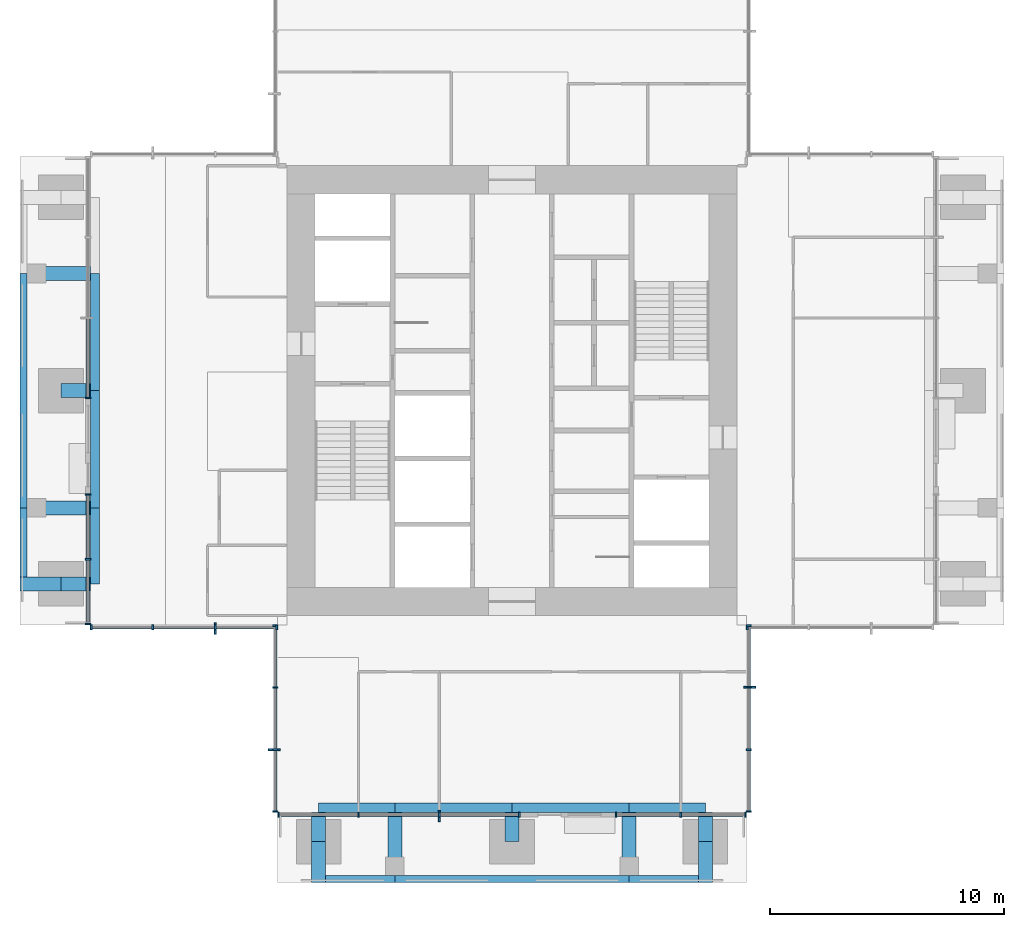
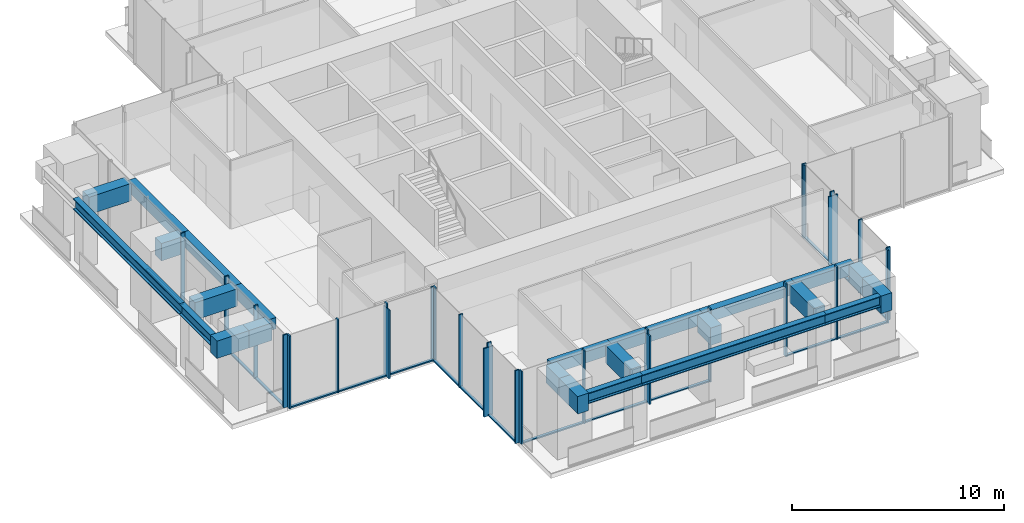
# One storey, part 2 of 12: 45 members, 24 beams, 8 elements without a shape of their own.
"""IFC4 building model written with IfcOpenShell, lengths in metres."""

from ifc_helpers import new_model, si_unit, direction, frame, origin, origin_2d, place, context, subcontext, project, spatial, rectangle, i_section, extrude, material, material_profile, profile_set, type_object, element, aggregate, save


model = new_model("IFC4")

# Units and contexts
model_context = context("Model", 3, precision=1e-05, world=origin(), true_north=direction((0.0, 1.0)))
body_context = subcontext(model_context, "Body", "Model", "MODEL_VIEW")
ifc_project = project(units=[si_unit("LENGTHUNIT", "METRE"), si_unit("AREAUNIT", "SQUARE_METRE"), si_unit("VOLUMEUNIT", "CUBIC_METRE"), si_unit("PLANEANGLEUNIT", "RADIAN"), si_unit("MASSUNIT", "GRAM", prefix="KILO")], contexts=[model_context])

# Site, building, storey
site_placement = place(None, origin())
site = spatial("IfcSite", under=ifc_project, at=site_placement, CompositionType="ELEMENT")
building_placement = place(site_placement, origin())
building = spatial("IfcBuilding", under=site, at=building_placement, Name="Svetlomir Tower", CompositionType="ELEMENT")
storey_placement = place(building_placement, frame((0.0, 0.0, 244.0)))
storey = spatial("IfcBuildingStorey", under=building, at=storey_placement, Name="L58", CompositionType="ELEMENT", Elevation=244.0)

# Curtain wall, member
ifc_material_1 = material(Name="Bronze anodised aluminium curtain wall", Category="aluminium")
curtain_wall_type = type_object("IfcCurtainWallType", Name="CURTAIN WALL CW4 EXECUTIVE", PredefinedType="NOTDEFINED", material=ifc_material_1)
curtain_wall_1_placement = place(storey_placement, origin())
curtain_wall_1 = element("IfcCurtainWall", 1, at=curtain_wall_1_placement, inside=storey, type_object=curtain_wall_type, Name="Curtain wall CW4 L58", PredefinedType="NOTDEFINED")
ifc_material_2 = material(Name="Bronze anodised aluminium", Category="aluminium")
ifc_material_profile_1 = material_profile(ifc_material_2, rectangle(XDim=0.080078125, YDim=0.5, at=origin_2d()), Name="FIN 80x500")
ifc_profile_set_1 = profile_set([ifc_material_profile_1], Name="Bronze anodised aluminium 6063-T6")
member_type_1 = type_object("IfcMemberType", Name="BRONZE FIN 80x500", PredefinedType="USERDEFINED", material=ifc_profile_set_1)
member_1_placement = place(storey_placement, frame((17.89990234375, 2.85009765625, 0.0), z_axis=(0.0, 0.0, 1.0), x_axis=(1.0, 0.0, 0.0)))
member_1 = element("IfcMember", 2, at=member_1_placement, type_object=member_type_1, Name="Bronze fin L58", ObjectType="FIN", PredefinedType="USERDEFINED", context=body_context, shape_type="SweptSolid", body=[
    extrude(rectangle(XDim=0.080078125, YDim=0.5, at=origin_2d()), origin(), (0.0, 0.0, 1.0), 3.949951171875),
])

curtain_wall_2_placement = place(storey_placement, origin())
curtain_wall_2 = element("IfcCurtainWall", 3, at=curtain_wall_2_placement, inside=storey, type_object=curtain_wall_type, Name="Curtain wall CW4 L58", PredefinedType="NOTDEFINED")
member_2_placement = place(storey_placement, frame((31.14990234375, 8.333251953125, 0.0), z_axis=(0.0, 0.0, 1.0), x_axis=(0.0, 1.0, 0.0)))
member_2 = element("IfcMember", 4, at=member_2_placement, type_object=member_type_1, Name="Bronze fin L58", ObjectType="FIN", PredefinedType="USERDEFINED", context=body_context, shape_type="SweptSolid", body=[
    extrude(rectangle(XDim=0.080078125, YDim=0.5, at=origin_2d()), origin(), (0.0, 0.0, 1.0), 3.949951171875),
])

curtain_wall_3_placement = place(storey_placement, origin())
curtain_wall_3 = element("IfcCurtainWall", 5, at=curtain_wall_3_placement, inside=storey, type_object=curtain_wall_type, Name="Curtain wall CW4 L58", PredefinedType="NOTDEFINED")
member_3_placement = place(storey_placement, frame((8.333251953125, 10.85009765625, 0.0), z_axis=(0.0, 0.0, 1.0), x_axis=(1.0, 0.0, 0.0)))
member_3 = element("IfcMember", 6, at=member_3_placement, type_object=member_type_1, Name="Bronze fin L58", ObjectType="FIN", PredefinedType="USERDEFINED", context=body_context, shape_type="SweptSolid", body=[
    extrude(rectangle(XDim=0.080078125, YDim=0.5, at=origin_2d()), origin(), (0.0, 0.0, 1.0), 3.949951171875),
])

curtain_wall_4_placement = place(storey_placement, origin())
curtain_wall_4 = element("IfcCurtainWall", 7, at=curtain_wall_4_placement, inside=storey, type_object=curtain_wall_type, Name="Curtain wall CW4 L58", PredefinedType="NOTDEFINED")
member_4_placement = place(storey_placement, frame((10.85009765625, 5.666748046875, 0.0), z_axis=(0.0, 0.0, 1.0), x_axis=(0.0, 1.0, 0.0)))
member_4 = element("IfcMember", 8, at=member_4_placement, type_object=member_type_1, Name="Bronze fin L58", ObjectType="FIN", PredefinedType="USERDEFINED", context=body_context, shape_type="SweptSolid", body=[
    extrude(rectangle(XDim=0.080078125, YDim=0.5, at=origin_2d()), origin(), (0.0, 0.0, 1.0), 3.949951171875),
])

# Member
ifc_material_3 = material(Name="Bronze anodised aluminium", Category="aluminium")
ifc_material_profile_2 = material_profile(ifc_material_3, rectangle(XDim=0.074951171875, YDim=0.219970703125, at=origin_2d()), Name="AL 75x220")
ifc_profile_set_2 = profile_set([ifc_material_profile_2], Name="Bronze anodised aluminium 6063-T6")
member_type_2 = type_object("IfcMemberType", Name="CW4 MULLION 75x220", PredefinedType="MULLION", material=ifc_profile_set_2)
member_5_placement = place(storey_placement, frame((11.03759765625, 2.89990234375, 0.0), z_axis=(0.0, 0.0, 1.0), x_axis=(1.0, 0.0, 0.0)))
member_5 = element("IfcMember", 9, at=member_5_placement, type_object=member_type_2, Name="CW4 mullion 1", PredefinedType="MULLION", context=body_context, shape_type="SweptSolid", body=[
    extrude(rectangle(XDim=0.074951171875, YDim=0.219970703125, at=origin_2d()), origin(), (0.0, 0.0, 1.0), 4.199951171875),
])

member_6_placement = place(storey_placement, frame((14.449951171875, 2.89990234375, 0.0), z_axis=(0.0, 0.0, 1.0), x_axis=(1.0, 0.0, 0.0)))
member_6 = element("IfcMember", 10, at=member_6_placement, type_object=member_type_2, Name="CW4 mullion 2", PredefinedType="MULLION", context=body_context, shape_type="SweptSolid", body=[
    extrude(rectangle(XDim=0.074951171875, YDim=0.219970703125, at=origin_2d()), origin(), (0.0, 0.0, 1.0), 4.199951171875),
])

member_7_placement = place(storey_placement, frame((17.89990234375, 2.89990234375, 0.0), z_axis=(0.0, 0.0, 1.0), x_axis=(1.0, 0.0, 0.0)))
member_7 = element("IfcMember", 11, at=member_7_placement, type_object=member_type_2, Name="CW4 mullion 3", PredefinedType="MULLION", context=body_context, shape_type="SweptSolid", body=[
    extrude(rectangle(XDim=0.074951171875, YDim=0.219970703125, at=origin_2d()), origin(), (0.0, 0.0, 1.0), 4.199951171875),
])

member_8_placement = place(storey_placement, frame((21.3125, 2.89990234375, 0.0), z_axis=(0.0, 0.0, 1.0), x_axis=(1.0, 0.0, 0.0)))
member_8 = element("IfcMember", 12, at=member_8_placement, type_object=member_type_2, Name="CW4 mullion 4", PredefinedType="MULLION", context=body_context, shape_type="SweptSolid", body=[
    extrude(rectangle(XDim=0.074951171875, YDim=0.219970703125, at=origin_2d()), origin(), (0.0, 0.0, 1.0), 4.199951171875),
])

# Curtain wall, members
curtain_wall_5_placement = place(storey_placement, origin())
curtain_wall_5 = element("IfcCurtainWall", 13, at=curtain_wall_5_placement, inside=storey, type_object=curtain_wall_type, Name="Curtain wall CW4 L58", PredefinedType="NOTDEFINED")
member_9_placement = place(storey_placement, frame((25.4375, 2.89990234375, 0.0), z_axis=(0.0, 0.0, 1.0), x_axis=(1.0, 0.0, 0.0)))
member_9 = element("IfcMember", 14, at=member_9_placement, type_object=member_type_2, Name="CW4 mullion 1", PredefinedType="MULLION", context=body_context, shape_type="SweptSolid", body=[
    extrude(rectangle(XDim=0.074951171875, YDim=0.219970703125, at=origin_2d()), origin(), (0.0, 0.0, 1.0), 4.199951171875),
])
member_10_placement = place(storey_placement, frame((28.199951171875, 2.89990234375, 0.0), z_axis=(0.0, 0.0, 1.0), x_axis=(1.0, 0.0, 0.0)))
member_10 = element("IfcMember", 15, at=member_10_placement, type_object=member_type_2, Name="CW4 mullion 2", PredefinedType="MULLION", context=body_context, shape_type="SweptSolid", body=[
    extrude(rectangle(XDim=0.074951171875, YDim=0.219970703125, at=origin_2d()), origin(), (0.0, 0.0, 1.0), 4.199951171875),
])
member_11_placement = place(storey_placement, frame((30.96240234375, 2.89990234375, 0.0), z_axis=(0.0, 0.0, 1.0), x_axis=(1.0, 0.0, 0.0)))
member_11 = element("IfcMember", 16, at=member_11_placement, type_object=member_type_2, Name="CW4 mullion 3", PredefinedType="MULLION", context=body_context, shape_type="SweptSolid", body=[
    extrude(rectangle(XDim=0.074951171875, YDim=0.219970703125, at=origin_2d()), origin(), (0.0, 0.0, 1.0), 4.199951171875),
])

# Member
member_12_placement = place(storey_placement, frame((31.10009765625, 3.03759765625, 0.0), z_axis=(0.0, 0.0, 1.0), x_axis=(0.0, 1.0, 0.0)))
member_12 = element("IfcMember", 17, at=member_12_placement, type_object=member_type_2, Name="CW4 mullion 1", PredefinedType="MULLION", context=body_context, shape_type="SweptSolid", body=[
    extrude(rectangle(XDim=0.074951171875, YDim=0.219970703125, at=origin_2d()), origin(), (0.0, 0.0, 1.0), 4.199951171875),
])

member_13_placement = place(storey_placement, frame((31.10009765625, 5.666748046875, 0.0), z_axis=(0.0, 0.0, 1.0), x_axis=(0.0, 1.0, 0.0)))
member_13 = element("IfcMember", 18, at=member_13_placement, type_object=member_type_2, Name="CW4 mullion 2", PredefinedType="MULLION", context=body_context, shape_type="SweptSolid", body=[
    extrude(rectangle(XDim=0.074951171875, YDim=0.219970703125, at=origin_2d()), origin(), (0.0, 0.0, 1.0), 4.199951171875),
])

member_14_placement = place(storey_placement, frame((31.10009765625, 8.333251953125, 0.0), z_axis=(0.0, 0.0, 1.0), x_axis=(0.0, 1.0, 0.0)))
member_14 = element("IfcMember", 19, at=member_14_placement, type_object=member_type_2, Name="CW4 mullion 3", PredefinedType="MULLION", context=body_context, shape_type="SweptSolid", body=[
    extrude(rectangle(XDim=0.074951171875, YDim=0.219970703125, at=origin_2d()), origin(), (0.0, 0.0, 1.0), 4.199951171875),
])

member_15_placement = place(storey_placement, frame((31.10009765625, 10.96240234375, 0.0), z_axis=(0.0, 0.0, 1.0), x_axis=(0.0, 1.0, 0.0)))
member_15 = element("IfcMember", 20, at=member_15_placement, type_object=member_type_2, Name="CW4 mullion 4", PredefinedType="MULLION", context=body_context, shape_type="SweptSolid", body=[
    extrude(rectangle(XDim=0.074951171875, YDim=0.219970703125, at=origin_2d()), origin(), (0.0, 0.0, 1.0), 4.199951171875),
])

# Curtain wall, member
curtain_wall_6_placement = place(storey_placement, origin())
curtain_wall_6 = element("IfcCurtainWall", 21, at=curtain_wall_6_placement, inside=storey, type_object=curtain_wall_type, Name="Curtain wall CW4 L58", PredefinedType="NOTDEFINED")
member_16_placement = place(storey_placement, frame((31.03759765625, 10.89990234375, 0.0), z_axis=(0.0, 0.0, 1.0), x_axis=(1.0, 0.0, 0.0)))
member_16 = element("IfcMember", 22, at=member_16_placement, type_object=member_type_2, Name="CW4 mullion 1", PredefinedType="MULLION", context=body_context, shape_type="SweptSolid", body=[
    extrude(rectangle(XDim=0.074951171875, YDim=0.219970703125, at=origin_2d()), origin(), (0.0, 0.0, 1.0), 4.199951171875),
])
aggregate(curtain_wall_6, [member_16])

curtain_wall_7_placement = place(storey_placement, origin())
curtain_wall_7 = element("IfcCurtainWall", 23, at=curtain_wall_7_placement, inside=storey, type_object=curtain_wall_type, Name="Curtain wall CW4 L58", PredefinedType="NOTDEFINED")
member_17_placement = place(storey_placement, frame((2.89990234375, 20.6875, 0.0), z_axis=(0.0, 0.0, 1.0), x_axis=(0.0, -1.0, 0.0)))
member_17 = element("IfcMember", 24, at=member_17_placement, type_object=member_type_2, Name="CW4 mullion 4", PredefinedType="MULLION", context=body_context, shape_type="SweptSolid", body=[
    extrude(rectangle(XDim=0.074951171875, YDim=0.219970703125, at=origin_2d()), origin(), (0.0, 0.0, 1.0), 4.199951171875),
])

# Curtain wall, members
curtain_wall_8_placement = place(storey_placement, origin())
curtain_wall_8 = element("IfcCurtainWall", 25, at=curtain_wall_8_placement, inside=storey, type_object=curtain_wall_type, Name="Curtain wall CW4 L58", PredefinedType="NOTDEFINED")
member_18_placement = place(storey_placement, frame((2.89990234375, 16.5625, 0.0), z_axis=(0.0, 0.0, 1.0), x_axis=(0.0, -1.0, 0.0)))
member_18 = element("IfcMember", 26, at=member_18_placement, type_object=member_type_2, Name="CW4 mullion 1", PredefinedType="MULLION", context=body_context, shape_type="SweptSolid", body=[
    extrude(rectangle(XDim=0.074951171875, YDim=0.219970703125, at=origin_2d()), origin(), (0.0, 0.0, 1.0), 4.199951171875),
])
member_19_placement = place(storey_placement, frame((2.89990234375, 13.800048828125, 0.0), z_axis=(0.0, 0.0, 1.0), x_axis=(0.0, -1.0, 0.0)))
member_19 = element("IfcMember", 27, at=member_19_placement, type_object=member_type_2, Name="CW4 mullion 2", PredefinedType="MULLION", context=body_context, shape_type="SweptSolid", body=[
    extrude(rectangle(XDim=0.074951171875, YDim=0.219970703125, at=origin_2d()), origin(), (0.0, 0.0, 1.0), 4.199951171875),
])
member_20_placement = place(storey_placement, frame((2.89990234375, 11.03759765625, 0.0), z_axis=(0.0, 0.0, 1.0), x_axis=(0.0, -1.0, 0.0)))
member_20 = element("IfcMember", 28, at=member_20_placement, type_object=member_type_2, Name="CW4 mullion 3", PredefinedType="MULLION", context=body_context, shape_type="SweptSolid", body=[
    extrude(rectangle(XDim=0.074951171875, YDim=0.219970703125, at=origin_2d()), origin(), (0.0, 0.0, 1.0), 4.199951171875),
])

# Member
member_21_placement = place(storey_placement, frame((3.03759765625, 10.89990234375, 0.0), z_axis=(0.0, 0.0, 1.0), x_axis=(1.0, 0.0, 0.0)))
member_21 = element("IfcMember", 29, at=member_21_placement, type_object=member_type_2, Name="CW4 mullion 1", PredefinedType="MULLION", context=body_context, shape_type="SweptSolid", body=[
    extrude(rectangle(XDim=0.074951171875, YDim=0.219970703125, at=origin_2d()), origin(), (0.0, 0.0, 1.0), 4.199951171875),
])

member_22_placement = place(storey_placement, frame((5.666748046875, 10.89990234375, 0.0), z_axis=(0.0, 0.0, 1.0), x_axis=(1.0, 0.0, 0.0)))
member_22 = element("IfcMember", 30, at=member_22_placement, type_object=member_type_2, Name="CW4 mullion 2", PredefinedType="MULLION", context=body_context, shape_type="SweptSolid", body=[
    extrude(rectangle(XDim=0.074951171875, YDim=0.219970703125, at=origin_2d()), origin(), (0.0, 0.0, 1.0), 4.199951171875),
])

member_23_placement = place(storey_placement, frame((8.333251953125, 10.89990234375, 0.0), z_axis=(0.0, 0.0, 1.0), x_axis=(1.0, 0.0, 0.0)))
member_23 = element("IfcMember", 31, at=member_23_placement, type_object=member_type_2, Name="CW4 mullion 3", PredefinedType="MULLION", context=body_context, shape_type="SweptSolid", body=[
    extrude(rectangle(XDim=0.074951171875, YDim=0.219970703125, at=origin_2d()), origin(), (0.0, 0.0, 1.0), 4.199951171875),
])

member_24_placement = place(storey_placement, frame((10.96240234375, 10.89990234375, 0.0), z_axis=(0.0, 0.0, 1.0), x_axis=(1.0, 0.0, 0.0)))
member_24 = element("IfcMember", 32, at=member_24_placement, type_object=member_type_2, Name="CW4 mullion 4", PredefinedType="MULLION", context=body_context, shape_type="SweptSolid", body=[
    extrude(rectangle(XDim=0.074951171875, YDim=0.219970703125, at=origin_2d()), origin(), (0.0, 0.0, 1.0), 4.199951171875),
])

member_25_placement = place(storey_placement, frame((10.89990234375, 10.96240234375, 0.0), z_axis=(0.0, 0.0, 1.0), x_axis=(0.0, -1.0, 0.0)))
member_25 = element("IfcMember", 33, at=member_25_placement, type_object=member_type_2, Name="CW4 mullion 1", PredefinedType="MULLION", context=body_context, shape_type="SweptSolid", body=[
    extrude(rectangle(XDim=0.074951171875, YDim=0.219970703125, at=origin_2d()), origin(), (0.0, 0.0, 1.0), 4.199951171875),
])

member_26_placement = place(storey_placement, frame((10.89990234375, 8.333251953125, 0.0), z_axis=(0.0, 0.0, 1.0), x_axis=(0.0, -1.0, 0.0)))
member_26 = element("IfcMember", 34, at=member_26_placement, type_object=member_type_2, Name="CW4 mullion 2", PredefinedType="MULLION", context=body_context, shape_type="SweptSolid", body=[
    extrude(rectangle(XDim=0.074951171875, YDim=0.219970703125, at=origin_2d()), origin(), (0.0, 0.0, 1.0), 4.199951171875),
])

member_27_placement = place(storey_placement, frame((10.89990234375, 5.666748046875, 0.0), z_axis=(0.0, 0.0, 1.0), x_axis=(0.0, -1.0, 0.0)))
member_27 = element("IfcMember", 35, at=member_27_placement, type_object=member_type_2, Name="CW4 mullion 3", PredefinedType="MULLION", context=body_context, shape_type="SweptSolid", body=[
    extrude(rectangle(XDim=0.074951171875, YDim=0.219970703125, at=origin_2d()), origin(), (0.0, 0.0, 1.0), 4.199951171875),
])

member_28_placement = place(storey_placement, frame((10.89990234375, 3.03759765625, 0.0), z_axis=(0.0, 0.0, 1.0), x_axis=(0.0, -1.0, 0.0)))
member_28 = element("IfcMember", 36, at=member_28_placement, type_object=member_type_2, Name="CW4 mullion 4", PredefinedType="MULLION", context=body_context, shape_type="SweptSolid", body=[
    extrude(rectangle(XDim=0.074951171875, YDim=0.219970703125, at=origin_2d()), origin(), (0.0, 0.0, 1.0), 4.199951171875),
])

ifc_material_4 = material(Name="Bronze anodised aluminium", Category="aluminium")
ifc_material_profile_3 = material_profile(ifc_material_4, rectangle(XDim=0.14990234375, YDim=0.074951171875, at=origin_2d()), Name="AL 150x75")
ifc_profile_set_3 = profile_set([ifc_material_profile_3], Name="Bronze anodised aluminium 6063-T6")
member_type_3 = type_object("IfcMemberType", Name="CW4 TRANSOM 75x150", PredefinedType="USERDEFINED", material=ifc_profile_set_3)
member_29_placement = place(storey_placement, frame((11.074951171875, 2.89990234375, 0.03759765625), z_axis=(1.0, 0.0, 0.0), x_axis=(0.0, 1.0, 0.0)))
member_29 = element("IfcMember", 37, at=member_29_placement, type_object=member_type_3, Name="CW4 transom 1.1", ObjectType="TRANSOM", PredefinedType="USERDEFINED", context=body_context, shape_type="SweptSolid", body=[
    extrude(rectangle(XDim=0.14990234375, YDim=0.074951171875, at=origin_2d()), origin(), (0.0, 0.0, 1.0), 3.337646484375),
])

member_30_placement = place(storey_placement, frame((14.487548828125, 2.89990234375, 0.03759765625), z_axis=(1.0, 0.0, 0.0), x_axis=(0.0, 1.0, 0.0)))
member_30 = element("IfcMember", 38, at=member_30_placement, type_object=member_type_3, Name="CW4 transom 2.1", ObjectType="TRANSOM", PredefinedType="USERDEFINED", context=body_context, shape_type="SweptSolid", body=[
    extrude(rectangle(XDim=0.14990234375, YDim=0.074951171875, at=origin_2d()), origin(), (0.0, 0.0, 1.0), 3.375),
])

member_31_placement = place(storey_placement, frame((17.9375, 2.89990234375, 0.03759765625), z_axis=(1.0, 0.0, 0.0), x_axis=(0.0, 1.0, 0.0)))
member_31 = element("IfcMember", 39, at=member_31_placement, type_object=member_type_3, Name="CW4 transom 3.1", ObjectType="TRANSOM", PredefinedType="USERDEFINED", context=body_context, shape_type="SweptSolid", body=[
    extrude(rectangle(XDim=0.14990234375, YDim=0.074951171875, at=origin_2d()), origin(), (0.0, 0.0, 1.0), 3.33740234375),
])

aggregate(curtain_wall_1, [member_5, member_6, member_7, member_8, member_29, member_30, member_31, member_1])

member_32_placement = place(storey_placement, frame((25.47509765625, 2.89990234375, 0.03759765625), z_axis=(1.0, 0.0, 0.0), x_axis=(0.0, 1.0, 0.0)))
member_32 = element("IfcMember", 40, at=member_32_placement, type_object=member_type_3, Name="CW4 transom 1.1", ObjectType="TRANSOM", PredefinedType="USERDEFINED", context=body_context, shape_type="SweptSolid", body=[
    extrude(rectangle(XDim=0.14990234375, YDim=0.074951171875, at=origin_2d()), origin(), (0.0, 0.0, 1.0), 2.6875),
])

member_33_placement = place(storey_placement, frame((28.237548828125, 2.89990234375, 0.03759765625), z_axis=(1.0, 0.0, 0.0), x_axis=(0.0, 1.0, 0.0)))
member_33 = element("IfcMember", 41, at=member_33_placement, type_object=member_type_3, Name="CW4 transom 2.1", ObjectType="TRANSOM", PredefinedType="USERDEFINED", context=body_context, shape_type="SweptSolid", body=[
    extrude(rectangle(XDim=0.14990234375, YDim=0.074951171875, at=origin_2d()), origin(), (0.0, 0.0, 1.0), 2.6875),
])

aggregate(curtain_wall_5, [member_9, member_10, member_11, member_32, member_33])

member_34_placement = place(storey_placement, frame((31.10009765625, 3.074951171875, 0.03759765625), z_axis=(0.0, 1.0, 0.0), x_axis=(-1.0, 0.0, 0.0)))
member_34 = element("IfcMember", 42, at=member_34_placement, type_object=member_type_3, Name="CW4 transom 1.1", ObjectType="TRANSOM", PredefinedType="USERDEFINED", context=body_context, shape_type="SweptSolid", body=[
    extrude(rectangle(XDim=0.14990234375, YDim=0.074951171875, at=origin_2d()), origin(), (0.0, 0.0, 1.0), 2.55419921875),
])

member_35_placement = place(storey_placement, frame((31.10009765625, 5.7041015625, 0.03759765625), z_axis=(0.0, 1.0, 0.0), x_axis=(-1.0, 0.0, 0.0)))
member_35 = element("IfcMember", 43, at=member_35_placement, type_object=member_type_3, Name="CW4 transom 2.1", ObjectType="TRANSOM", PredefinedType="USERDEFINED", context=body_context, shape_type="SweptSolid", body=[
    extrude(rectangle(XDim=0.14990234375, YDim=0.074951171875, at=origin_2d()), origin(), (0.0, 0.0, 1.0), 2.591796875),
])

member_36_placement = place(storey_placement, frame((31.10009765625, 8.370849609375, 0.03759765625), z_axis=(0.0, 1.0, 0.0), x_axis=(-1.0, 0.0, 0.0)))
member_36 = element("IfcMember", 44, at=member_36_placement, type_object=member_type_3, Name="CW4 transom 3.1", ObjectType="TRANSOM", PredefinedType="USERDEFINED", context=body_context, shape_type="SweptSolid", body=[
    extrude(rectangle(XDim=0.14990234375, YDim=0.074951171875, at=origin_2d()), origin(), (0.0, 0.0, 1.0), 2.55419921875),
])

aggregate(curtain_wall_2, [member_12, member_13, member_14, member_15, member_34, member_35, member_36, member_2])

member_37_placement = place(storey_placement, frame((2.89990234375, 24.0625, 0.03759765625), z_axis=(0.0, -1.0, 0.0), x_axis=(1.0, 0.0, 0.0)))
member_37 = element("IfcMember", 45, at=member_37_placement, type_object=member_type_3, Name="CW4 transom 3.1", ObjectType="TRANSOM", PredefinedType="USERDEFINED", context=body_context, shape_type="SweptSolid", body=[
    extrude(rectangle(XDim=0.14990234375, YDim=0.074951171875, at=origin_2d()), origin(), (0.0, 0.0, 1.0), 3.33740234375),
])

aggregate(curtain_wall_7, [member_17, member_37])

member_38_placement = place(storey_placement, frame((2.89990234375, 16.52490234375, 0.03759765625), z_axis=(0.0, -1.0, 0.0), x_axis=(1.0, 0.0, 0.0)))
member_38 = element("IfcMember", 46, at=member_38_placement, type_object=member_type_3, Name="CW4 transom 1.1", ObjectType="TRANSOM", PredefinedType="USERDEFINED", context=body_context, shape_type="SweptSolid", body=[
    extrude(rectangle(XDim=0.14990234375, YDim=0.074951171875, at=origin_2d()), origin(), (0.0, 0.0, 1.0), 2.6875),
])

member_39_placement = place(storey_placement, frame((2.89990234375, 13.762451171875, 0.03759765625), z_axis=(0.0, -1.0, 0.0), x_axis=(1.0, 0.0, 0.0)))
member_39 = element("IfcMember", 47, at=member_39_placement, type_object=member_type_3, Name="CW4 transom 2.1", ObjectType="TRANSOM", PredefinedType="USERDEFINED", context=body_context, shape_type="SweptSolid", body=[
    extrude(rectangle(XDim=0.14990234375, YDim=0.074951171875, at=origin_2d()), origin(), (0.0, 0.0, 1.0), 2.6875),
])

aggregate(curtain_wall_8, [member_18, member_19, member_20, member_38, member_39])

member_40_placement = place(storey_placement, frame((3.074951171875, 10.89990234375, 0.03759765625), z_axis=(1.0, 0.0, 0.0), x_axis=(0.0, 1.0, 0.0)))
member_40 = element("IfcMember", 48, at=member_40_placement, type_object=member_type_3, Name="CW4 transom 1.1", ObjectType="TRANSOM", PredefinedType="USERDEFINED", context=body_context, shape_type="SweptSolid", body=[
    extrude(rectangle(XDim=0.14990234375, YDim=0.074951171875, at=origin_2d()), origin(), (0.0, 0.0, 1.0), 2.55419921875),
])

member_41_placement = place(storey_placement, frame((5.7041015625, 10.89990234375, 0.03759765625), z_axis=(1.0, 0.0, 0.0), x_axis=(0.0, 1.0, 0.0)))
member_41 = element("IfcMember", 49, at=member_41_placement, type_object=member_type_3, Name="CW4 transom 2.1", ObjectType="TRANSOM", PredefinedType="USERDEFINED", context=body_context, shape_type="SweptSolid", body=[
    extrude(rectangle(XDim=0.14990234375, YDim=0.074951171875, at=origin_2d()), origin(), (0.0, 0.0, 1.0), 2.591796875),
])

member_42_placement = place(storey_placement, frame((8.370849609375, 10.89990234375, 0.03759765625), z_axis=(1.0, 0.0, 0.0), x_axis=(0.0, 1.0, 0.0)))
member_42 = element("IfcMember", 50, at=member_42_placement, type_object=member_type_3, Name="CW4 transom 3.1", ObjectType="TRANSOM", PredefinedType="USERDEFINED", context=body_context, shape_type="SweptSolid", body=[
    extrude(rectangle(XDim=0.14990234375, YDim=0.074951171875, at=origin_2d()), origin(), (0.0, 0.0, 1.0), 2.55419921875),
])

aggregate(curtain_wall_3, [member_21, member_22, member_23, member_24, member_40, member_41, member_42, member_3])

member_43_placement = place(storey_placement, frame((10.89990234375, 10.925048828125, 0.03759765625), z_axis=(0.0, -1.0, 0.0), x_axis=(1.0, 0.0, 0.0)))
member_43 = element("IfcMember", 51, at=member_43_placement, type_object=member_type_3, Name="CW4 transom 1.1", ObjectType="TRANSOM", PredefinedType="USERDEFINED", context=body_context, shape_type="SweptSolid", body=[
    extrude(rectangle(XDim=0.14990234375, YDim=0.074951171875, at=origin_2d()), origin(), (0.0, 0.0, 1.0), 2.55419921875),
])

member_44_placement = place(storey_placement, frame((10.89990234375, 8.2958984375, 0.03759765625), z_axis=(0.0, -1.0, 0.0), x_axis=(1.0, 0.0, 0.0)))
member_44 = element("IfcMember", 52, at=member_44_placement, type_object=member_type_3, Name="CW4 transom 2.1", ObjectType="TRANSOM", PredefinedType="USERDEFINED", context=body_context, shape_type="SweptSolid", body=[
    extrude(rectangle(XDim=0.14990234375, YDim=0.074951171875, at=origin_2d()), origin(), (0.0, 0.0, 1.0), 2.591796875),
])

member_45_placement = place(storey_placement, frame((10.89990234375, 5.629150390625, 0.03759765625), z_axis=(0.0, -1.0, 0.0), x_axis=(1.0, 0.0, 0.0)))
member_45 = element("IfcMember", 53, at=member_45_placement, type_object=member_type_3, Name="CW4 transom 3.1", ObjectType="TRANSOM", PredefinedType="USERDEFINED", context=body_context, shape_type="SweptSolid", body=[
    extrude(rectangle(XDim=0.14990234375, YDim=0.074951171875, at=origin_2d()), origin(), (0.0, 0.0, 1.0), 2.55419921875),
])

aggregate(curtain_wall_4, [member_25, member_26, member_27, member_28, member_43, member_44, member_45, member_4])

# Beams
ifc_material_5 = material(Name="Steel S355", Category="steel")
ifc_material_profile_4 = material_profile(ifc_material_5, i_section(OverallWidth=0.304931640625, OverallDepth=0.6201171875, WebThickness=0.02099609375, FlangeThickness=0.0400390625, FilletRadius=0.027099609375, at=origin_2d()), Name="HEM 600")
ifc_profile_set_4 = profile_set([ifc_material_profile_4], Name="Steel S355")
beam_type_1 = type_object("IfcBeamType", Name="EDGE BEAM HEM 600", PredefinedType="SPANDREL", material=ifc_profile_set_4)
for number, where, z_axis, x_axis, name in (
    (54, (13.050048828125, 0.152587890625, 3.639892578125), (1.0, 0.0, 0.0), (0.0, 1.0, 0.0), "Edge beam 11/0 to 16/0 under L59"),
    (55, (0.152587890625, 13.050048828125, 3.639892578125), (0.0, 1.0, 0.0), (-1.0, 0.0, 0.0), "Edge beam 0/11 to 0/16 under L59"),
):
    element("IfcBeam", number, at=place(storey_placement, frame(where, z_axis=z_axis, x_axis=x_axis)), inside=storey, type_object=beam_type_1, Name=name, PredefinedType="SPANDREL", context=body_context, shape_type="SweptSolid", body=[
        extrude(i_section(OverallWidth=0.304931640625, OverallDepth=0.6201171875, WebThickness=0.02099609375, FlangeThickness=0.0400390625, FilletRadius=0.027099609375, at=origin_2d()), origin(), (0.0, 0.0, 1.0), 2.949951171875),
    ])
for number, where, z_axis, x_axis, name in (
    (56, (16.0, 0.152587890625, 3.639892578125), (1.0, 0.0, 0.0), (0.0, 1.0, 0.0), "Edge beam 16/0 to 26/0 under L59"),
    (57, (0.152587890625, 16.0, 3.639892578125), (0.0, 1.0, 0.0), (-1.0, 0.0, 0.0), "Edge beam 0/16 to 0/26 under L59"),
):
    element("IfcBeam", number, at=place(storey_placement, frame(where, z_axis=z_axis, x_axis=x_axis)), inside=storey, type_object=beam_type_1, Name=name, PredefinedType="SPANDREL", context=body_context, shape_type="SweptSolid", body=[
        extrude(i_section(OverallWidth=0.304931640625, OverallDepth=0.6201171875, WebThickness=0.02099609375, FlangeThickness=0.0400390625, FilletRadius=0.027099609375, at=origin_2d()), origin(), (0.0, 0.0, 1.0), 10.0),
    ])
beam_1_placement = place(storey_placement, frame((26.0, 0.152587890625, 3.639892578125), z_axis=(1.0, 0.0, 0.0), x_axis=(0.0, 1.0, 0.0)))
element("IfcBeam", 58, at=beam_1_placement, inside=storey, type_object=beam_type_1, Name="Edge beam 26/0 to 31/0 under L59", PredefinedType="SPANDREL", context=body_context, shape_type="SweptSolid", body=[
    extrude(i_section(OverallWidth=0.304931640625, OverallDepth=0.6201171875, WebThickness=0.02099609375, FlangeThickness=0.0400390625, FilletRadius=0.027099609375, at=origin_2d()), origin(), (0.0, 0.0, 1.0), 2.949951171875),
])
ifc_material_6 = material(Name="Concrete C60/75", Category="concrete")
ifc_material_profile_5 = material_profile(ifc_material_6, rectangle(XDim=0.60009765625, YDim=1.0, at=origin_2d()), Name="RC 600x1000")
ifc_profile_set_5 = profile_set([ifc_material_profile_5], Name="Concrete C60/75")
beam_type_2 = type_object("IfcBeamType", Name="EDGE LINK BEAM RC 600x1000", PredefinedType="BEAM", material=ifc_profile_set_5)
for number, where, z_axis, x_axis, name in (
    (59, (1.75, 12.75, 3.449951171875), (-1.0, 0.0, 0.0), (0.0, -1.0, 0.0), "Edge link beam W 0/11 under L59"),
    (60, (12.75, 1.75, 3.449951171875), (0.0, -1.0, 0.0), (1.0, 0.0, 0.0), "Edge link beam S 11/0 under L59"),
    (61, (29.25, 1.75, 3.449951171875), (0.0, -1.0, 0.0), (1.0, 0.0, 0.0), "Edge link beam S 31/0 under L59"),
):
    element("IfcBeam", number, at=place(storey_placement, frame(where, z_axis=z_axis, x_axis=x_axis)), inside=storey, type_object=beam_type_2, Name=name, PredefinedType="BEAM", context=body_context, shape_type="SweptSolid", body=[
        extrude(rectangle(XDim=0.60009765625, YDim=1.0, at=origin_2d()), origin(), (0.0, 0.0, 1.0), 1.75),
    ])
ifc_material_7 = material(Name="Concrete C60/75", Category="concrete")
ifc_material_profile_6 = material_profile(ifc_material_7, rectangle(XDim=0.39990234375, YDim=0.64990234375, at=origin_2d()), Name="RC 400x650")
ifc_profile_set_6 = profile_set([ifc_material_profile_6], Name="Concrete C60/75")
beam_type_3 = type_object("IfcBeamType", Name="FACADE EDGE BEAM RC 400x650", PredefinedType="BEAM", material=ifc_profile_set_6)
beam_2_placement = place(storey_placement, frame((12.75, 3.199951171875, 3.625), z_axis=(1.0, 0.0, 0.0), x_axis=(0.0, 1.0, 0.0)))
element("IfcBeam", 62, at=beam_2_placement, inside=storey, type_object=beam_type_3, Name="Facade edge beam S 11 to 16 under L59", PredefinedType="BEAM", context=body_context, shape_type="SweptSolid", body=[
    extrude(rectangle(XDim=0.39990234375, YDim=0.64990234375, at=origin_2d()), origin(), (0.0, 0.0, 1.0), 3.25),
])
for number, where, z_axis, x_axis, name in (
    (63, (16.0, 3.199951171875, 3.625), (1.0, 0.0, 0.0), (0.0, 1.0, 0.0), "Facade edge beam S 16 to 21 under L59"),
    (64, (21.0, 3.199951171875, 3.625), (1.0, 0.0, 0.0), (0.0, 1.0, 0.0), "Facade edge beam S 21 to 26 under L59"),
):
    element("IfcBeam", number, at=place(storey_placement, frame(where, z_axis=z_axis, x_axis=x_axis)), inside=storey, type_object=beam_type_3, Name=name, PredefinedType="BEAM", context=body_context, shape_type="SweptSolid", body=[
        extrude(rectangle(XDim=0.39990234375, YDim=0.64990234375, at=origin_2d()), origin(), (0.0, 0.0, 1.0), 5.0),
    ])
for number, where, z_axis, x_axis, name in (
    (65, (26.0, 3.199951171875, 3.625), (1.0, 0.0, 0.0), (0.0, 1.0, 0.0), "Facade edge beam S 26 to 31 under L59"),
    (66, (3.199951171875, 12.75, 3.625), (0.0, 1.0, 0.0), (-1.0, 0.0, 0.0), "Facade edge beam W 11 to 16 under L59"),
):
    element("IfcBeam", number, at=place(storey_placement, frame(where, z_axis=z_axis, x_axis=x_axis)), inside=storey, type_object=beam_type_3, Name=name, PredefinedType="BEAM", context=body_context, shape_type="SweptSolid", body=[
        extrude(rectangle(XDim=0.39990234375, YDim=0.64990234375, at=origin_2d()), origin(), (0.0, 0.0, 1.0), 3.25),
    ])
for number, where, z_axis, x_axis, name in (
    (67, (3.199951171875, 16.0, 3.625), (0.0, 1.0, 0.0), (-1.0, 0.0, 0.0), "Facade edge beam W 16 to 21 under L59"),
    (68, (3.199951171875, 21.0, 3.625), (0.0, 1.0, 0.0), (-1.0, 0.0, 0.0), "Facade edge beam W 21 to 26 under L59"),
):
    element("IfcBeam", number, at=place(storey_placement, frame(where, z_axis=z_axis, x_axis=x_axis)), inside=storey, type_object=beam_type_3, Name=name, PredefinedType="BEAM", context=body_context, shape_type="SweptSolid", body=[
        extrude(rectangle(XDim=0.39990234375, YDim=0.64990234375, at=origin_2d()), origin(), (0.0, 0.0, 1.0), 5.0),
    ])
ifc_material_8 = material(Name="Concrete C60/75", Category="concrete")
ifc_material_profile_7 = material_profile(ifc_material_8, rectangle(XDim=0.60009765625, YDim=1.0, at=origin_2d()), Name="RC 600x1000")
ifc_profile_set_7 = profile_set([ifc_material_profile_7], Name="Concrete C60/75")
beam_type_4 = type_object("IfcBeamType", Name="LOGGIA LINK BEAM RC 600x1000", PredefinedType="BEAM", material=ifc_profile_set_7)
beam_3_placement = place(storey_placement, frame((12.75, 1.75, 3.449951171875), z_axis=(0.0, 1.0, 0.0), x_axis=(-1.0, 0.0, 0.0)))
element("IfcBeam", 69, at=beam_3_placement, inside=storey, type_object=beam_type_4, Name="Loggia link beam S 11 under L59", PredefinedType="BEAM", context=body_context, shape_type="SweptSolid", body=[
    extrude(rectangle(XDim=0.60009765625, YDim=1.0, at=origin_2d()), origin(), (0.0, 0.0, 1.0), 1.25),
])
beam_4_placement = place(storey_placement, frame((16.0, 0.699951171875, 3.449951171875), z_axis=(0.0, 1.0, 0.0), x_axis=(-1.0, 0.0, 0.0)))
element("IfcBeam", 70, at=beam_4_placement, inside=storey, type_object=beam_type_4, Name="Loggia link beam S 16 under L59", PredefinedType="BEAM", context=body_context, shape_type="SweptSolid", body=[
    extrude(rectangle(XDim=0.60009765625, YDim=1.0, at=origin_2d()), origin(), (0.0, 0.0, 1.0), 2.300048828125),
])
beam_5_placement = place(storey_placement, frame((21.0, 1.75, 3.449951171875), z_axis=(0.0, 1.0, 0.0), x_axis=(-1.0, 0.0, 0.0)))
element("IfcBeam", 71, at=beam_5_placement, inside=storey, type_object=beam_type_4, Name="Loggia link beam S 21 under L59", PredefinedType="BEAM", context=body_context, shape_type="SweptSolid", body=[
    extrude(rectangle(XDim=0.60009765625, YDim=1.0, at=origin_2d()), origin(), (0.0, 0.0, 1.0), 1.25),
])
beam_6_placement = place(storey_placement, frame((26.0, 0.699951171875, 3.449951171875), z_axis=(0.0, 1.0, 0.0), x_axis=(-1.0, 0.0, 0.0)))
element("IfcBeam", 72, at=beam_6_placement, inside=storey, type_object=beam_type_4, Name="Loggia link beam S 26 under L59", PredefinedType="BEAM", context=body_context, shape_type="SweptSolid", body=[
    extrude(rectangle(XDim=0.60009765625, YDim=1.0, at=origin_2d()), origin(), (0.0, 0.0, 1.0), 2.300048828125),
])
for number, where, z_axis, x_axis, name in (
    (73, (29.25, 1.75, 3.449951171875), (0.0, 1.0, 0.0), (-1.0, 0.0, 0.0), "Loggia link beam S 31 under L59"),
    (74, (1.75, 12.75, 3.449951171875), (1.0, 0.0, 0.0), (0.0, 1.0, 0.0), "Loggia link beam W 11 under L59"),
):
    element("IfcBeam", number, at=place(storey_placement, frame(where, z_axis=z_axis, x_axis=x_axis)), inside=storey, type_object=beam_type_4, Name=name, PredefinedType="BEAM", context=body_context, shape_type="SweptSolid", body=[
        extrude(rectangle(XDim=0.60009765625, YDim=1.0, at=origin_2d()), origin(), (0.0, 0.0, 1.0), 1.25),
    ])
beam_7_placement = place(storey_placement, frame((0.699951171875, 16.0, 3.449951171875), z_axis=(1.0, 0.0, 0.0), x_axis=(0.0, 1.0, 0.0)))
element("IfcBeam", 75, at=beam_7_placement, inside=storey, type_object=beam_type_4, Name="Loggia link beam W 16 under L59", PredefinedType="BEAM", context=body_context, shape_type="SweptSolid", body=[
    extrude(rectangle(XDim=0.60009765625, YDim=1.0, at=origin_2d()), origin(), (0.0, 0.0, 1.0), 2.300048828125),
])
beam_8_placement = place(storey_placement, frame((1.75, 21.0, 3.449951171875), z_axis=(1.0, 0.0, 0.0), x_axis=(0.0, 1.0, 0.0)))
element("IfcBeam", 76, at=beam_8_placement, inside=storey, type_object=beam_type_4, Name="Loggia link beam W 21 under L59", PredefinedType="BEAM", context=body_context, shape_type="SweptSolid", body=[
    extrude(rectangle(XDim=0.60009765625, YDim=1.0, at=origin_2d()), origin(), (0.0, 0.0, 1.0), 1.25),
])
beam_9_placement = place(storey_placement, frame((0.699951171875, 26.0, 3.449951171875), z_axis=(1.0, 0.0, 0.0), x_axis=(0.0, 1.0, 0.0)))
element("IfcBeam", 77, at=beam_9_placement, inside=storey, type_object=beam_type_4, Name="Loggia link beam W 26 under L59", PredefinedType="BEAM", context=body_context, shape_type="SweptSolid", body=[
    extrude(rectangle(XDim=0.60009765625, YDim=1.0, at=origin_2d()), origin(), (0.0, 0.0, 1.0), 2.300048828125),
])

save(model, "model.ifc")
